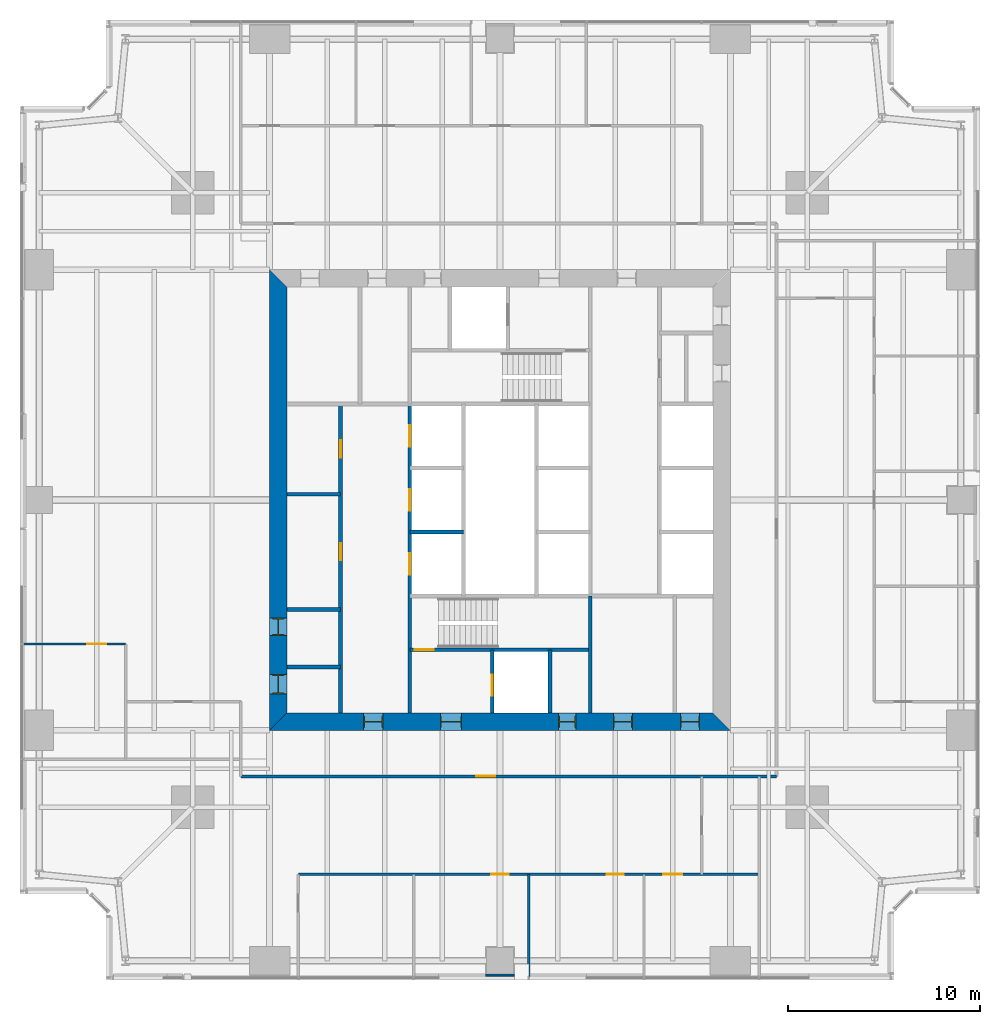
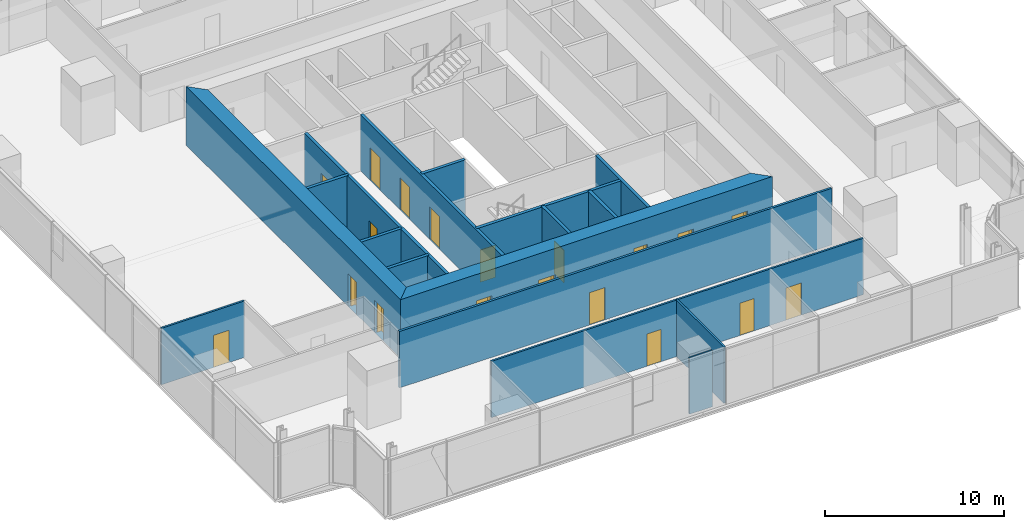
# One storey, part 9 of 13: 19 doors, 17 walls, 19 openings.
"""IFC4 building model written with IfcOpenShell, lengths in metres."""

from ifc_helpers import new_model, si_unit, direction, frame, frame_2d, origin, place, context, subcontext, project, spatial, polyline, rectangle, outline, extrude, material, layer, layer_set, type_object, element, fill, save


model = new_model("IFC4")

# Units and contexts
model_context = context("Model", 3, precision=1e-05, world=origin(), true_north=direction((0.0, 1.0)))
body_context = subcontext(model_context, "Body", "Model", "MODEL_VIEW")
ifc_project = project(units=[si_unit("LENGTHUNIT", "METRE"), si_unit("AREAUNIT", "SQUARE_METRE"), si_unit("VOLUMEUNIT", "CUBIC_METRE"), si_unit("PLANEANGLEUNIT", "RADIAN"), si_unit("MASSUNIT", "GRAM", prefix="KILO")], contexts=[model_context])

# Site, building, storey
site_placement = place(None, origin())
site = spatial("IfcSite", under=ifc_project, at=site_placement, CompositionType="ELEMENT")
building_placement = place(site_placement, origin())
building = spatial("IfcBuilding", under=site, at=building_placement, Name="Fenwick Lantern Interchange", CompositionType="ELEMENT")
storey_placement = place(building_placement, frame((0.0, 0.0, 110.39990234375)))
storey = spatial("IfcBuildingStorey", under=building, at=storey_placement, Name="L25", CompositionType="ELEMENT", Elevation=110.39990234375)

# Wall
ifc_material_1 = material(Name="Fire-rated gypsum board encasement on steel studs, 2 hour", Category="steel")
ifc_layer_1 = layer(ifc_material_1, 1.5)
ifc_layer_set_1 = layer_set([ifc_layer_1], Name="COLUMN PIER 1500")
wall_type_1 = type_object("IfcWallType", Name="COLUMN PIER 1500", PredefinedType="PARTITIONING", material=ifc_layer_set_1)
wall_1_placement = place(storey_placement, frame((25.0, 0.199951171875, 0.0), z_axis=(0.0, 0.0, 1.0), x_axis=(0.0, 1.0, 0.0)))
element("IfcWall", 1, at=wall_1_placement, inside=storey, type_object=wall_type_1, Name="L25/W/PIER/CS3", PredefinedType="PARTITIONING", context=body_context, shape_type="SweptSolid", body=[
    extrude(rectangle(XDim=0.10009765625, YDim=1.5, at=frame_2d((0.050048828125, 0.0))), origin(), (0.0, 0.0, 1.0), 3.85009765625),
])

# Wall, openings, doors
ifc_material_2 = material(Name="Concrete masonry ASTM C90 Grade N", Category="masonry")
ifc_layer_2 = layer(ifc_material_2, 0.199951171875)
ifc_layer_set_2 = layer_set([ifc_layer_2], Name="Concrete masonry ASTM C90 Grade N")
wall_type_2 = type_object("IfcWallType", Name="CORE PARTITION 200", PredefinedType="PARTITIONING", material=ifc_layer_set_2)
wall_2_placement = place(storey_placement, frame((16.699951171875, 13.89990234375, 0.0), z_axis=(0.0, 0.0, 1.0), x_axis=(0.0, 1.0, 0.0)))
wall_2 = element("IfcWall", 2, at=wall_2_placement, inside=storey, type_object=wall_type_2, Name="L25/W/CORES/a", PredefinedType="PARTITIONING", context=body_context, shape_type="SweptSolid", body=[
    extrude(rectangle(XDim=16.10009765625, YDim=0.199951171875, at=frame_2d((8.050048828125, 0.0))), origin(), (0.0, 0.0, 1.0), 3.800048828125),
])
opening_1_placement = place(wall_2_placement, frame((7.949951171875, 0.0, 0.0)))
opening_1 = element("IfcOpeningElement", 3, at=opening_1_placement, cuts=wall_2, Name="Opening L25-D009", PredefinedType="OPENING", context=body_context, shape_type="SweptSolid", body=[
    extrude(rectangle(XDim=0.89990234375, YDim=2.199951171875, at=frame_2d((0.449951171875, 1.10009765625))), frame((0.0, 0.10986328125, 0.0), z_axis=(0.0, -1.0, 0.0), x_axis=(1.0, 0.0, 0.0)), (0.0, 0.0, 1.0), 0.219970703125),
])
opening_2_placement = place(wall_2_placement, frame((13.300048828125, 0.0, 0.0)))
opening_2 = element("IfcOpeningElement", 4, at=opening_2_placement, cuts=wall_2, Name="Opening L25-D010", PredefinedType="OPENING", context=body_context, shape_type="SweptSolid", body=[
    extrude(rectangle(XDim=0.89990234375, YDim=2.199951171875, at=frame_2d((0.449951171875, 1.10009765625))), frame((0.0, 0.10986328125, 0.0), z_axis=(0.0, -1.0, 0.0), x_axis=(1.0, 0.0, 0.0)), (0.0, 0.0, 1.0), 0.219970703125),
])
ifc_material_3 = material(Name="Steel door and frame", Category="steel")
door_type_1 = type_object("IfcDoorType", Name="SERVICE DOOR 900 X 2200", OperationType="SINGLE_SWING_LEFT", PredefinedType="DOOR", material=ifc_material_3)
door_1_placement = place(opening_1_placement, origin())
door_1 = element("IfcDoor", 5, at=door_1_placement, inside=storey, type_object=door_type_1, Name="Service door", OperationType="SINGLE_SWING_LEFT", OverallHeight=2.199951171875, OverallWidth=0.89990234375, PredefinedType="DOOR", context=body_context, shape_type="SweptSolid", body=[
    extrude(rectangle(XDim=0.89990234375, YDim=2.199951171875, at=frame_2d((0.449951171875, 1.10009765625))), frame((0.0, 0.02490234375, 0.0), z_axis=(0.0, -1.0, 0.0), x_axis=(1.0, 0.0, 0.0)), (0.0, 0.0, 1.0), 0.050048828125),
])
fill(opening_1, door_1)
door_2_placement = place(opening_2_placement, origin())
door_2 = element("IfcDoor", 6, at=door_2_placement, inside=storey, type_object=door_type_1, Name="Service door", OperationType="SINGLE_SWING_LEFT", OverallHeight=2.199951171875, OverallWidth=0.89990234375, PredefinedType="DOOR", context=body_context, shape_type="SweptSolid", body=[
    extrude(rectangle(XDim=0.89990234375, YDim=2.199951171875, at=frame_2d((0.449951171875, 1.10009765625))), frame((0.0, 0.02490234375, 0.0), z_axis=(0.0, -1.0, 0.0), x_axis=(1.0, 0.0, 0.0)), (0.0, 0.0, 1.0), 0.050048828125),
])
fill(opening_2, door_2)

# Wall
wall_3_placement = place(storey_placement, frame((20.300048828125, 23.333251953125, 0.0), z_axis=(0.0, 0.0, 1.0), x_axis=(1.0, 0.0, 0.0)))
element("IfcWall", 7, at=wall_3_placement, inside=storey, type_object=wall_type_2, Name="L25/W/CORES/e1", PredefinedType="PARTITIONING", context=body_context, shape_type="SweptSolid", body=[
    extrude(rectangle(XDim=2.800048828125, YDim=0.199951171875, at=frame_2d((1.39990234375, 0.0))), origin(), (0.0, 0.0, 1.0), 3.800048828125),
])

# Wall, opening, door
wall_4_placement = place(storey_placement, frame((24.60009765625, 13.89990234375, 0.0), z_axis=(0.0, 0.0, 1.0), x_axis=(0.0, 1.0, 0.0)))
wall_4 = element("IfcWall", 8, at=wall_4_placement, inside=storey, type_object=wall_type_2, Name="L25/W/CORES/h1", PredefinedType="PARTITIONING", context=body_context, shape_type="SweptSolid", body=[
    extrude(rectangle(XDim=3.300048828125, YDim=0.199951171875, at=frame_2d((1.64990234375, 0.0))), origin(), (0.0, 0.0, 1.0), 3.800048828125),
])
opening_3_placement = place(wall_4_placement, frame((0.89990234375, 0.0, 0.0)))
opening_3 = element("IfcOpeningElement", 9, at=opening_3_placement, cuts=wall_4, Name="Opening LD-FL1", PredefinedType="OPENING", context=body_context, shape_type="SweptSolid", body=[
    extrude(rectangle(XDim=1.10009765625, YDim=2.199951171875, at=frame_2d((0.550048828125, 1.10009765625))), frame((0.0, 0.10986328125, 0.0), z_axis=(0.0, -1.0, 0.0), x_axis=(1.0, 0.0, 0.0)), (0.0, 0.0, 1.0), 0.219970703125),
])
door_type_2 = type_object("IfcDoorType", Name="LIFT LANDING DOOR 1100 X 2200", OperationType="DOUBLE_DOOR_SLIDING", PredefinedType="DOOR", material=ifc_material_3)
door_3_placement = place(opening_3_placement, origin())
door_3 = element("IfcDoor", 10, at=door_3_placement, inside=storey, type_object=door_type_2, Name="Lift landing door FL1", OperationType="DOUBLE_DOOR_SLIDING", OverallHeight=2.199951171875, OverallWidth=1.10009765625, PredefinedType="DOOR", context=body_context, shape_type="SweptSolid", body=[
    extrude(rectangle(XDim=1.10009765625, YDim=2.199951171875, at=frame_2d((0.550048828125, 1.10009765625))), frame((0.0, 0.02490234375, 0.0), z_axis=(0.0, -1.0, 0.0), x_axis=(1.0, 0.0, 0.0)), (0.0, 0.0, 1.0), 0.050048828125),
])
fill(opening_3, door_3)

# Walls
wall_5_placement = place(storey_placement, frame((27.60009765625, 13.89990234375, 0.0), z_axis=(0.0, 0.0, 1.0), x_axis=(0.0, 1.0, 0.0)))
element("IfcWall", 11, at=wall_5_placement, inside=storey, type_object=wall_type_2, Name="L25/W/CORES/h2", PredefinedType="PARTITIONING", context=body_context, shape_type="SweptSolid", body=[
    extrude(rectangle(XDim=3.300048828125, YDim=0.199951171875, at=frame_2d((1.64990234375, 0.0))), origin(), (0.0, 0.0, 1.0), 3.800048828125),
])
for number, where, z_axis, x_axis, name in (
    (12, (13.89990234375, 16.300048828125, 0.0), (0.0, 0.0, 1.0), (1.0, 0.0, 0.0), "L25/W/CORES/p1"),
    (13, (13.89990234375, 19.300048828125, 0.0), (0.0, 0.0, 1.0), (1.0, 0.0, 0.0), "L25/W/CORES/p2"),
    (14, (13.89990234375, 25.300048828125, 0.0), (0.0, 0.0, 1.0), (1.0, 0.0, 0.0), "L25/W/CORES/p3"),
):
    element("IfcWall", number, at=place(storey_placement, frame(where, z_axis=z_axis, x_axis=x_axis)), inside=storey, type_object=wall_type_2, Name=name, PredefinedType="PARTITIONING", context=body_context, shape_type="SweptSolid", body=[
        extrude(rectangle(XDim=2.800048828125, YDim=0.199951171875, at=frame_2d((1.39990234375, 0.0))), origin(), (0.0, 0.0, 1.0), 3.800048828125),
    ])

# Wall, openings, doors
ifc_material_4 = material(Name="Concrete f'c 70 MPa", Category="concrete")
ifc_layer_3 = layer(ifc_material_4, 0.89990234375)
ifc_layer_set_3 = layer_set([ifc_layer_3], Name="CORE WALL 900")
wall_type_3 = type_object("IfcWallType", Name="CORE WALL 900", PredefinedType="SHEAR", material=ifc_layer_set_3)
wall_6_placement = place(storey_placement, frame((13.0, 13.449951171875, 0.0), z_axis=(0.0, 0.0, 1.0), x_axis=(1.0, 0.0, 0.0)))
wall_6 = element("IfcWall", 15, at=wall_6_placement, inside=storey, type_object=wall_type_3, Name="L25/CORE/S", PredefinedType="SHEAR", context=body_context, shape_type="SweptSolid", body=[
    extrude(outline(polyline([(0.0, -0.449951171875), (24.0, -0.449951171875), (23.10009765625, 0.449951171875), (0.89990234375, 0.449951171875), (0.0, -0.449951171875)])), origin(), (0.0, 0.0, 1.0), 4.0),
])
opening_4_placement = place(wall_6_placement, frame((4.89990234375, 0.0, 0.0)))
opening_4 = element("IfcOpeningElement", 16, at=opening_4_placement, cuts=wall_6, Name="Opening L25-D001", PredefinedType="OPENING", context=body_context, shape_type="SweptSolid", body=[
    extrude(rectangle(XDim=1.0, YDim=2.199951171875, at=frame_2d((0.5, 1.10009765625))), frame((0.0, 0.4599609375, 0.0), z_axis=(0.0, -1.0, 0.0), x_axis=(1.0, 0.0, 0.0)), (0.0, 0.0, 1.0), 0.919921875),
])
opening_5_placement = place(wall_6_placement, frame((8.89990234375, 0.0, 0.0)))
opening_5 = element("IfcOpeningElement", 17, at=opening_5_placement, cuts=wall_6, Name="Opening L25-D002", PredefinedType="OPENING", context=body_context, shape_type="SweptSolid", body=[
    extrude(rectangle(XDim=1.10009765625, YDim=2.199951171875, at=frame_2d((0.550048828125, 1.10009765625))), frame((0.0, 0.4599609375, 0.0), z_axis=(0.0, -1.0, 0.0), x_axis=(1.0, 0.0, 0.0)), (0.0, 0.0, 1.0), 0.919921875),
])
opening_6_placement = place(wall_6_placement, frame((15.050048828125, 0.0, 0.0)))
opening_6 = element("IfcOpeningElement", 18, at=opening_6_placement, cuts=wall_6, Name="Opening L25-D004", PredefinedType="OPENING", context=body_context, shape_type="SweptSolid", body=[
    extrude(rectangle(XDim=0.89990234375, YDim=2.199951171875, at=frame_2d((0.449951171875, 1.10009765625))), frame((0.0, 0.4599609375, 0.0), z_axis=(0.0, -1.0, 0.0), x_axis=(1.0, 0.0, 0.0)), (0.0, 0.0, 1.0), 0.919921875),
])
opening_7_placement = place(wall_6_placement, frame((17.89990234375, 0.0, 0.0)))
opening_7 = element("IfcOpeningElement", 19, at=opening_7_placement, cuts=wall_6, Name="Opening L25-D005", PredefinedType="OPENING", context=body_context, shape_type="SweptSolid", body=[
    extrude(rectangle(XDim=1.0, YDim=2.199951171875, at=frame_2d((0.5, 1.10009765625))), frame((0.0, 0.4599609375, 0.0), z_axis=(0.0, -1.0, 0.0), x_axis=(1.0, 0.0, 0.0)), (0.0, 0.0, 1.0), 0.919921875),
])
opening_8_placement = place(wall_6_placement, frame((21.39990234375, 0.0, 0.0)))
opening_8 = element("IfcOpeningElement", 20, at=opening_8_placement, cuts=wall_6, Name="Opening L25-D006", PredefinedType="OPENING", context=body_context, shape_type="SweptSolid", body=[
    extrude(rectangle(XDim=1.0, YDim=2.199951171875, at=frame_2d((0.5, 1.10009765625))), frame((0.0, 0.4599609375, 0.0), z_axis=(0.0, -1.0, 0.0), x_axis=(1.0, 0.0, 0.0)), (0.0, 0.0, 1.0), 0.919921875),
])
door_type_3 = type_object("IfcDoorType", Name="CORE LOBBY DOOR 1000 X 2200", OperationType="SINGLE_SWING_LEFT", PredefinedType="DOOR", material=ifc_material_3)
door_4_placement = place(opening_4_placement, origin())
door_4 = element("IfcDoor", 21, at=door_4_placement, inside=storey, type_object=door_type_3, Name="Core lobby door", OperationType="SINGLE_SWING_LEFT", OverallHeight=2.199951171875, OverallWidth=1.0, PredefinedType="DOOR", context=body_context, shape_type="SweptSolid", body=[
    extrude(rectangle(XDim=1.0, YDim=2.199951171875, at=frame_2d((0.5, 1.10009765625))), frame((0.0, 0.02490234375, 0.0), z_axis=(0.0, -1.0, 0.0), x_axis=(1.0, 0.0, 0.0)), (0.0, 0.0, 1.0), 0.050048828125),
    extrude(outline(polyline([(0.0, 0.0), (0.0400390625, 0.0), (0.0400390625, 2.159912109375), (0.9599609375, 2.159912109375), (0.9599609375, 0.0), (1.0, 0.0), (1.0, 2.199951171875), (0.0, 2.199951171875), (0.0, 0.0)])), frame((0.0, 0.300048828125, 0.0), z_axis=(0.0, -1.0, 0.0), x_axis=(1.0, 0.0, 0.0)), (0.0, 0.0, 1.0), 0.60009765625),
])
fill(opening_4, door_4)
door_type_4 = type_object("IfcDoorType", Name="FIRE LOBBY DOOR 1100 X 2200", OperationType="SINGLE_SWING_LEFT", PredefinedType="DOOR", material=ifc_material_3)
door_5_placement = place(opening_5_placement, origin())
door_5 = element("IfcDoor", 22, at=door_5_placement, inside=storey, type_object=door_type_4, Name="Fire lobby door", OperationType="SINGLE_SWING_LEFT", OverallHeight=2.199951171875, OverallWidth=1.10009765625, PredefinedType="DOOR", context=body_context, shape_type="SweptSolid", body=[
    extrude(rectangle(XDim=1.10009765625, YDim=2.199951171875, at=frame_2d((0.550048828125, 1.10009765625))), frame((0.0, 0.02490234375, 0.0), z_axis=(0.0, -1.0, 0.0), x_axis=(1.0, 0.0, 0.0)), (0.0, 0.0, 1.0), 0.050048828125),
    extrude(outline(polyline([(0.0, 0.0), (0.0400390625, 0.0), (0.0400390625, 2.159912109375), (1.06005859375, 2.159912109375), (1.06005859375, 0.0), (1.10009765625, 0.0), (1.10009765625, 2.199951171875), (0.0, 2.199951171875), (0.0, 0.0)])), frame((0.0, 0.300048828125, 0.0), z_axis=(0.0, -1.0, 0.0), x_axis=(1.0, 0.0, 0.0)), (0.0, 0.0, 1.0), 0.60009765625),
])
fill(opening_5, door_5)
door_6_placement = place(opening_6_placement, origin())
door_6 = element("IfcDoor", 23, at=door_6_placement, inside=storey, type_object=door_type_1, Name="Service door", OperationType="SINGLE_SWING_LEFT", OverallHeight=2.199951171875, OverallWidth=0.89990234375, PredefinedType="DOOR", context=body_context, shape_type="SweptSolid", body=[
    extrude(rectangle(XDim=0.89990234375, YDim=2.199951171875, at=frame_2d((0.449951171875, 1.10009765625))), frame((0.0, 0.02490234375, 0.0), z_axis=(0.0, -1.0, 0.0), x_axis=(1.0, 0.0, 0.0)), (0.0, 0.0, 1.0), 0.050048828125),
    extrude(outline(polyline([(0.0, 0.0), (0.0400390625, 0.0), (0.0400390625, 2.159912109375), (0.85986328125, 2.159912109375), (0.85986328125, 0.0), (0.89990234375, 0.0), (0.89990234375, 2.199951171875), (0.0, 2.199951171875), (0.0, 0.0)])), frame((0.0, 0.300048828125, 0.0), z_axis=(0.0, -1.0, 0.0), x_axis=(1.0, 0.0, 0.0)), (0.0, 0.0, 1.0), 0.60009765625),
])
fill(opening_6, door_6)
ifc_material_5 = material(Name="Hardwood door and steel frame", Category="steel")
door_type_5 = type_object("IfcDoorType", Name="WC DOOR 1000 X 2200", OperationType="SINGLE_SWING_LEFT", PredefinedType="DOOR", material=ifc_material_5)
door_7_placement = place(opening_7_placement, origin())
door_7 = element("IfcDoor", 24, at=door_7_placement, inside=storey, type_object=door_type_5, Name="Wc door", OperationType="SINGLE_SWING_LEFT", OverallHeight=2.199951171875, OverallWidth=1.0, PredefinedType="DOOR", context=body_context, shape_type="SweptSolid", body=[
    extrude(rectangle(XDim=1.0, YDim=2.199951171875, at=frame_2d((0.5, 1.10009765625))), frame((0.0, 0.02490234375, 0.0), z_axis=(0.0, -1.0, 0.0), x_axis=(1.0, 0.0, 0.0)), (0.0, 0.0, 1.0), 0.050048828125),
    extrude(outline(polyline([(0.0, 0.0), (0.0400390625, 0.0), (0.0400390625, 2.159912109375), (0.9599609375, 2.159912109375), (0.9599609375, 0.0), (1.0, 0.0), (1.0, 2.199951171875), (0.0, 2.199951171875), (0.0, 0.0)])), frame((0.0, 0.300048828125, 0.0), z_axis=(0.0, -1.0, 0.0), x_axis=(1.0, 0.0, 0.0)), (0.0, 0.0, 1.0), 0.60009765625),
])
fill(opening_7, door_7)
door_8_placement = place(opening_8_placement, origin())
door_8 = element("IfcDoor", 25, at=door_8_placement, inside=storey, type_object=door_type_5, Name="Wc door", OperationType="SINGLE_SWING_LEFT", OverallHeight=2.199951171875, OverallWidth=1.0, PredefinedType="DOOR", context=body_context, shape_type="SweptSolid", body=[
    extrude(rectangle(XDim=1.0, YDim=2.199951171875, at=frame_2d((0.5, 1.10009765625))), frame((0.0, 0.02490234375, 0.0), z_axis=(0.0, -1.0, 0.0), x_axis=(1.0, 0.0, 0.0)), (0.0, 0.0, 1.0), 0.050048828125),
    extrude(outline(polyline([(0.0, 0.0), (0.0400390625, 0.0), (0.0400390625, 2.159912109375), (0.9599609375, 2.159912109375), (0.9599609375, 0.0), (1.0, 0.0), (1.0, 2.199951171875), (0.0, 2.199951171875), (0.0, 0.0)])), frame((0.0, 0.300048828125, 0.0), z_axis=(0.0, -1.0, 0.0), x_axis=(1.0, 0.0, 0.0)), (0.0, 0.0, 1.0), 0.60009765625),
])
fill(opening_8, door_8)

wall_7_placement = place(storey_placement, frame((13.449951171875, 36.10009765625, 0.0), z_axis=(0.0, 0.0, 1.0), x_axis=(0.0, -1.0, 0.0)))
wall_7 = element("IfcWall", 26, at=wall_7_placement, inside=storey, type_object=wall_type_3, Name="L25/CORE/W", PredefinedType="SHEAR", context=body_context, shape_type="SweptSolid", body=[
    extrude(outline(polyline([(-0.89990234375, -0.449951171875), (23.10009765625, -0.449951171875), (22.199951171875, 0.449951171875), (0.0, 0.449951171875), (-0.89990234375, -0.449951171875)])), origin(), (0.0, 0.0, 1.0), 4.0),
])
opening_9_placement = place(wall_7_placement, frame((20.199951171875, 0.0, 0.0)))
opening_9 = element("IfcOpeningElement", 27, at=opening_9_placement, cuts=wall_7, Name="Opening L25-D007", PredefinedType="OPENING", context=body_context, shape_type="SweptSolid", body=[
    extrude(rectangle(XDim=1.0, YDim=2.199951171875, at=frame_2d((0.5, 1.10009765625))), frame((0.0, 0.4599609375, 0.0), z_axis=(0.0, -1.0, 0.0), x_axis=(1.0, 0.0, 0.0)), (0.0, 0.0, 1.0), 0.919921875),
])
opening_10_placement = place(wall_7_placement, frame((17.25, 0.0, 0.0)))
opening_10 = element("IfcOpeningElement", 28, at=opening_10_placement, cuts=wall_7, Name="Opening L25-D008", PredefinedType="OPENING", context=body_context, shape_type="SweptSolid", body=[
    extrude(rectangle(XDim=0.89990234375, YDim=2.199951171875, at=frame_2d((0.449951171875, 1.10009765625))), frame((0.0, 0.4599609375, 0.0), z_axis=(0.0, -1.0, 0.0), x_axis=(1.0, 0.0, 0.0)), (0.0, 0.0, 1.0), 0.919921875),
])
door_9_placement = place(opening_10_placement, origin())
door_9 = element("IfcDoor", 29, at=door_9_placement, inside=storey, type_object=door_type_1, Name="Service door", OperationType="SINGLE_SWING_LEFT", OverallHeight=2.199951171875, OverallWidth=0.89990234375, PredefinedType="DOOR", context=body_context, shape_type="SweptSolid", body=[
    extrude(rectangle(XDim=0.89990234375, YDim=2.199951171875, at=frame_2d((0.449951171875, 1.10009765625))), frame((0.0, 0.02490234375, 0.0), z_axis=(0.0, -1.0, 0.0), x_axis=(1.0, 0.0, 0.0)), (0.0, 0.0, 1.0), 0.050048828125),
    extrude(outline(polyline([(0.0, 0.0), (0.0400390625, 0.0), (0.0400390625, 2.159912109375), (0.85986328125, 2.159912109375), (0.85986328125, 0.0), (0.89990234375, 0.0), (0.89990234375, 2.199951171875), (0.0, 2.199951171875), (0.0, 0.0)])), frame((0.0, 0.300048828125, 0.0), z_axis=(0.0, -1.0, 0.0), x_axis=(1.0, 0.0, 0.0)), (0.0, 0.0, 1.0), 0.60009765625),
])
fill(opening_10, door_9)
door_10_placement = place(opening_9_placement, origin())
door_10 = element("IfcDoor", 30, at=door_10_placement, inside=storey, type_object=door_type_5, Name="Wc door", OperationType="SINGLE_SWING_LEFT", OverallHeight=2.199951171875, OverallWidth=1.0, PredefinedType="DOOR", context=body_context, shape_type="SweptSolid", body=[
    extrude(rectangle(XDim=1.0, YDim=2.199951171875, at=frame_2d((0.5, 1.10009765625))), frame((0.0, 0.02490234375, 0.0), z_axis=(0.0, -1.0, 0.0), x_axis=(1.0, 0.0, 0.0)), (0.0, 0.0, 1.0), 0.050048828125),
    extrude(outline(polyline([(0.0, 0.0), (0.0400390625, 0.0), (0.0400390625, 2.159912109375), (0.9599609375, 2.159912109375), (0.9599609375, 0.0), (1.0, 0.0), (1.0, 2.199951171875), (0.0, 2.199951171875), (0.0, 0.0)])), frame((0.0, 0.300048828125, 0.0), z_axis=(0.0, -1.0, 0.0), x_axis=(1.0, 0.0, 0.0)), (0.0, 0.0, 1.0), 0.60009765625),
])
fill(opening_9, door_10)

# Wall, opening, door
ifc_material_6 = material(Name="Gypsum board on steel studs, 1 hour", Category="steel")
ifc_layer_4 = layer(ifc_material_6, 0.14990234375)
ifc_layer_set_4 = layer_set([ifc_layer_4], Name="CORRIDOR WALL 150")
wall_type_4 = type_object("IfcWallType", Name="CORRIDOR WALL 150", PredefinedType="PARTITIONING", material=ifc_layer_set_4)
wall_8_placement = place(storey_placement, frame((11.5, 10.60009765625, 0.0), z_axis=(0.0, 0.0, 1.0), x_axis=(1.0, 0.0, 0.0)))
wall_8 = element("IfcWall", 31, at=wall_8_placement, inside=storey, type_object=wall_type_4, Name="L25/W/OFF/S/CW2", PredefinedType="PARTITIONING", context=body_context, shape_type="SweptSolid", body=[
    extrude(rectangle(XDim=27.89990234375, YDim=0.14990234375, at=frame_2d((13.949951171875, 0.0))), origin(), (0.0, 0.0, 1.0), 3.85009765625),
])
opening_11_placement = place(wall_8_placement, frame((12.25, 0.0, 0.0)))
opening_11 = element("IfcOpeningElement", 32, at=opening_11_placement, cuts=wall_8, Name="Opening L25-D020", PredefinedType="OPENING", context=body_context, shape_type="SweptSolid", body=[
    extrude(rectangle(XDim=1.0, YDim=2.199951171875, at=frame_2d((0.5, 1.10009765625))), frame((0.0, 0.0849609375, 0.0), z_axis=(0.0, -1.0, 0.0), x_axis=(1.0, 0.0, 0.0)), (0.0, 0.0, 1.0), 0.169921875),
])
door_type_6 = type_object("IfcDoorType", Name="SUITE ENTRANCE DOOR 1000 X 2200", OperationType="SINGLE_SWING_LEFT", PredefinedType="DOOR", material=ifc_material_3)
door_11_placement = place(opening_11_placement, frame((1.0, 0.0, 0.0), z_axis=(0.0, 0.0, 1.0), x_axis=(-1.0, 0.0, 0.0)))
door_11 = element("IfcDoor", 33, at=door_11_placement, inside=storey, type_object=door_type_6, Name="Suite entrance door", OperationType="SINGLE_SWING_LEFT", OverallHeight=2.199951171875, OverallWidth=1.0, PredefinedType="DOOR", context=body_context, shape_type="SweptSolid", body=[
    extrude(rectangle(XDim=1.0, YDim=2.199951171875, at=frame_2d((0.5, 1.10009765625))), frame((0.0, 0.02490234375, 0.0), z_axis=(0.0, -1.0, 0.0), x_axis=(1.0, 0.0, 0.0)), (0.0, 0.0, 1.0), 0.050048828125),
])
fill(opening_11, door_11)

# Wall
ifc_material_7 = material(Name="Gypsum board on steel studs, acoustic", Category="steel")
ifc_layer_5 = layer(ifc_material_7, 0.125)
ifc_layer_set_5 = layer_set([ifc_layer_5], Name="OFFICE PARTITION 125")
wall_type_5 = type_object("IfcWallType", Name="OFFICE PARTITION 125", PredefinedType="PARTITIONING", material=ifc_layer_set_5)
wall_9_placement = place(storey_placement, frame((26.5, 0.14990234375, 0.0), z_axis=(0.0, 0.0, 1.0), x_axis=(0.0, 1.0, 0.0)))
element("IfcWall", 34, at=wall_9_placement, inside=storey, type_object=wall_type_5, Name="L25/W/OFF/S/X265-1", PredefinedType="PARTITIONING", context=body_context, shape_type="SweptSolid", body=[
    extrude(rectangle(XDim=5.35009765625, YDim=0.125, at=frame_2d((2.675048828125, 0.0))), origin(), (0.0, 0.0, 1.0), 3.85009765625),
])

# Wall, openings, doors
wall_10_placement = place(storey_placement, frame((14.5, 5.5, 0.0), z_axis=(0.0, 0.0, 1.0), x_axis=(1.0, 0.0, 0.0)))
wall_10 = element("IfcWall", 35, at=wall_10_placement, inside=storey, type_object=wall_type_5, Name="L25/W/OFF/S/Y55-1", PredefinedType="PARTITIONING", context=body_context, shape_type="SweptSolid", body=[
    extrude(rectangle(XDim=24.0, YDim=0.125, at=frame_2d((12.0, 0.0))), origin(), (0.0, 0.0, 1.0), 3.85009765625),
])
opening_12_placement = place(wall_10_placement, frame((10.050048828125, 0.0, 0.0)))
opening_12 = element("IfcOpeningElement", 36, at=opening_12_placement, cuts=wall_10, Name="Opening L25-D022", PredefinedType="OPENING", context=body_context, shape_type="SweptSolid", body=[
    extrude(rectangle(XDim=0.89990234375, YDim=2.199951171875, at=frame_2d((0.449951171875, 1.10009765625))), frame((0.0, 0.072509765625, 0.0), z_axis=(0.0, -1.0, 0.0), x_axis=(1.0, 0.0, 0.0)), (0.0, 0.0, 1.0), 0.14501953125),
])
opening_13_placement = place(wall_10_placement, frame((16.050048828125, 0.0, 0.0)))
opening_13 = element("IfcOpeningElement", 37, at=opening_13_placement, cuts=wall_10, Name="Opening L25-D023", PredefinedType="OPENING", context=body_context, shape_type="SweptSolid", body=[
    extrude(rectangle(XDim=0.89990234375, YDim=2.199951171875, at=frame_2d((0.449951171875, 1.10009765625))), frame((0.0, 0.072509765625, 0.0), z_axis=(0.0, -1.0, 0.0), x_axis=(1.0, 0.0, 0.0)), (0.0, 0.0, 1.0), 0.14501953125),
])
opening_14_placement = place(wall_10_placement, frame((19.0, 0.0, 0.0)))
opening_14 = element("IfcOpeningElement", 38, at=opening_14_placement, cuts=wall_10, Name="Opening L25-D024", PredefinedType="OPENING", context=body_context, shape_type="SweptSolid", body=[
    extrude(rectangle(XDim=1.0, YDim=2.199951171875, at=frame_2d((0.5, 1.10009765625))), frame((0.0, 0.072509765625, 0.0), z_axis=(0.0, -1.0, 0.0), x_axis=(1.0, 0.0, 0.0)), (0.0, 0.0, 1.0), 0.14501953125),
])
door_type_7 = type_object("IfcDoorType", Name="MEETING ROOM DOOR 1000 X 2200", OperationType="SINGLE_SWING_LEFT", PredefinedType="DOOR", material=ifc_material_5)
door_12_placement = place(opening_14_placement, frame((1.0, 0.0, 0.0), z_axis=(0.0, 0.0, 1.0), x_axis=(-1.0, 0.0, 0.0)))
door_12 = element("IfcDoor", 39, at=door_12_placement, inside=storey, type_object=door_type_7, Name="Meeting room door", OperationType="SINGLE_SWING_RIGHT", OverallHeight=2.199951171875, OverallWidth=1.0, PredefinedType="DOOR", context=body_context, shape_type="SweptSolid", body=[
    extrude(rectangle(XDim=1.0, YDim=2.199951171875, at=frame_2d((0.5, 1.10009765625))), frame((0.0, 0.02490234375, 0.0), z_axis=(0.0, -1.0, 0.0), x_axis=(1.0, 0.0, 0.0)), (0.0, 0.0, 1.0), 0.050048828125),
])
fill(opening_14, door_12)
door_type_8 = type_object("IfcDoorType", Name="OFFICE DOOR 900 X 2200", OperationType="SINGLE_SWING_LEFT", PredefinedType="DOOR", material=ifc_material_5)
door_13_placement = place(opening_12_placement, frame((0.89990234375, 0.0, 0.0), z_axis=(0.0, 0.0, 1.0), x_axis=(-1.0, 0.0, 0.0)))
door_13 = element("IfcDoor", 40, at=door_13_placement, inside=storey, type_object=door_type_8, Name="Office door", OperationType="SINGLE_SWING_LEFT", OverallHeight=2.199951171875, OverallWidth=0.89990234375, PredefinedType="DOOR", context=body_context, shape_type="SweptSolid", body=[
    extrude(rectangle(XDim=0.89990234375, YDim=2.199951171875, at=frame_2d((0.449951171875, 1.10009765625))), frame((0.0, 0.02490234375, 0.0), z_axis=(0.0, -1.0, 0.0), x_axis=(1.0, 0.0, 0.0)), (0.0, 0.0, 1.0), 0.050048828125),
])
fill(opening_12, door_13)
door_14_placement = place(opening_13_placement, frame((0.89990234375, 0.0, 0.0), z_axis=(0.0, 0.0, 1.0), x_axis=(-1.0, 0.0, 0.0)))
door_14 = element("IfcDoor", 41, at=door_14_placement, inside=storey, type_object=door_type_8, Name="Office door", OperationType="SINGLE_SWING_LEFT", OverallHeight=2.199951171875, OverallWidth=0.89990234375, PredefinedType="DOOR", context=body_context, shape_type="SweptSolid", body=[
    extrude(rectangle(XDim=0.89990234375, YDim=2.199951171875, at=frame_2d((0.449951171875, 1.10009765625))), frame((0.0, 0.02490234375, 0.0), z_axis=(0.0, -1.0, 0.0), x_axis=(1.0, 0.0, 0.0)), (0.0, 0.0, 1.0), 0.050048828125),
])
fill(opening_13, door_14)

# Wall, opening, door
wall_11_placement = place(storey_placement, frame((0.14990234375, 17.5, 0.0), z_axis=(0.0, 0.0, 1.0), x_axis=(1.0, 0.0, 0.0)))
wall_11 = element("IfcWall", 42, at=wall_11_placement, inside=storey, type_object=wall_type_5, Name="L25/W/OFF/W/X325-1", PredefinedType="PARTITIONING", context=body_context, shape_type="SweptSolid", body=[
    extrude(rectangle(XDim=5.35009765625, YDim=0.125, at=frame_2d((2.675048828125, 0.0))), origin(), (0.0, 0.0, 1.0), 3.85009765625),
])
opening_15_placement = place(wall_11_placement, frame((3.35009765625, 0.0, 0.0)))
opening_15 = element("IfcOpeningElement", 43, at=opening_15_placement, cuts=wall_11, Name="Opening L25-D039", PredefinedType="OPENING", context=body_context, shape_type="SweptSolid", body=[
    extrude(rectangle(XDim=1.0, YDim=2.199951171875, at=frame_2d((0.5, 1.10009765625))), frame((0.0, 0.072509765625, 0.0), z_axis=(0.0, -1.0, 0.0), x_axis=(1.0, 0.0, 0.0)), (0.0, 0.0, 1.0), 0.14501953125),
])
door_15_placement = place(opening_15_placement, frame((1.0, 0.0, 0.0), z_axis=(0.0, 0.0, 1.0), x_axis=(-1.0, 0.0, 0.0)))
door_15 = element("IfcDoor", 44, at=door_15_placement, inside=storey, type_object=door_type_7, Name="Meeting room door", OperationType="SINGLE_SWING_LEFT", OverallHeight=2.199951171875, OverallWidth=1.0, PredefinedType="DOOR", context=body_context, shape_type="SweptSolid", body=[
    extrude(rectangle(XDim=1.0, YDim=2.199951171875, at=frame_2d((0.5, 1.10009765625))), frame((0.0, 0.02490234375, 0.0), z_axis=(0.0, -1.0, 0.0), x_axis=(1.0, 0.0, 0.0)), (0.0, 0.0, 1.0), 0.050048828125),
])
fill(opening_15, door_15)

# Wall, openings, doors
ifc_material_8 = material(Name="Concrete f'c 45 MPa", Category="concrete")
ifc_layer_6 = layer(ifc_material_8, 0.199951171875)
ifc_layer_set_6 = layer_set([ifc_layer_6], Name="STAIR CORE WALL 200")
wall_type_6 = type_object("IfcWallType", Name="STAIR CORE WALL 200", PredefinedType="SOLIDWALL", material=ifc_layer_set_6)
wall_12_placement = place(storey_placement, frame((20.300048828125, 13.89990234375, 0.0), z_axis=(0.0, 0.0, 1.0), x_axis=(0.0, 1.0, 0.0)))
wall_12 = element("IfcWall", 45, at=wall_12_placement, inside=storey, type_object=wall_type_6, Name="L25/W/CORES/b", PredefinedType="SOLIDWALL", context=body_context, shape_type="SweptSolid", body=[
    extrude(rectangle(XDim=16.10009765625, YDim=0.199951171875, at=frame_2d((8.050048828125, 0.0))), origin(), (0.0, 0.0, 1.0), 3.800048828125),
])
opening_16_placement = place(wall_12_placement, frame((7.216552734375, 0.0, 0.0)))
opening_16 = element("IfcOpeningElement", 46, at=opening_16_placement, cuts=wall_12, Name="Opening LD-W2-1", PredefinedType="OPENING", context=body_context, shape_type="SweptSolid", body=[
    extrude(rectangle(XDim=1.10009765625, YDim=2.199951171875, at=frame_2d((0.550048828125, 1.10009765625))), frame((0.0, 0.10986328125, 0.0), z_axis=(0.0, -1.0, 0.0), x_axis=(1.0, 0.0, 0.0)), (0.0, 0.0, 1.0), 0.219970703125),
])
opening_17_placement = place(wall_12_placement, frame((10.550048828125, 0.0, 0.0)))
opening_17 = element("IfcOpeningElement", 47, at=opening_17_placement, cuts=wall_12, Name="Opening LD-W2-2", PredefinedType="OPENING", context=body_context, shape_type="SweptSolid", body=[
    extrude(rectangle(XDim=1.10009765625, YDim=2.199951171875, at=frame_2d((0.550048828125, 1.10009765625))), frame((0.0, 0.10986328125, 0.0), z_axis=(0.0, -1.0, 0.0), x_axis=(1.0, 0.0, 0.0)), (0.0, 0.0, 1.0), 0.219970703125),
])
opening_18_placement = place(wall_12_placement, frame((13.88330078125, 0.0, 0.0)))
opening_18 = element("IfcOpeningElement", 48, at=opening_18_placement, cuts=wall_12, Name="Opening LD-W2-3", PredefinedType="OPENING", context=body_context, shape_type="SweptSolid", body=[
    extrude(rectangle(XDim=1.10009765625, YDim=2.199951171875, at=frame_2d((0.550048828125, 1.10009765625))), frame((0.0, 0.10986328125, 0.0), z_axis=(0.0, -1.0, 0.0), x_axis=(1.0, 0.0, 0.0)), (0.0, 0.0, 1.0), 0.219970703125),
])
door_16_placement = place(opening_16_placement, origin())
door_16 = element("IfcDoor", 49, at=door_16_placement, inside=storey, type_object=door_type_2, Name="Lift landing door W2-1", OperationType="DOUBLE_DOOR_SLIDING", OverallHeight=2.199951171875, OverallWidth=1.10009765625, PredefinedType="DOOR", context=body_context, shape_type="SweptSolid", body=[
    extrude(rectangle(XDim=1.10009765625, YDim=2.199951171875, at=frame_2d((0.550048828125, 1.10009765625))), frame((0.0, 0.02490234375, 0.0), z_axis=(0.0, -1.0, 0.0), x_axis=(1.0, 0.0, 0.0)), (0.0, 0.0, 1.0), 0.050048828125),
])
fill(opening_16, door_16)
door_17_placement = place(opening_17_placement, origin())
door_17 = element("IfcDoor", 50, at=door_17_placement, inside=storey, type_object=door_type_2, Name="Lift landing door W2-2", OperationType="DOUBLE_DOOR_SLIDING", OverallHeight=2.199951171875, OverallWidth=1.10009765625, PredefinedType="DOOR", context=body_context, shape_type="SweptSolid", body=[
    extrude(rectangle(XDim=1.10009765625, YDim=2.199951171875, at=frame_2d((0.550048828125, 1.10009765625))), frame((0.0, 0.02490234375, 0.0), z_axis=(0.0, -1.0, 0.0), x_axis=(1.0, 0.0, 0.0)), (0.0, 0.0, 1.0), 0.050048828125),
])
fill(opening_17, door_17)
door_18_placement = place(opening_18_placement, origin())
door_18 = element("IfcDoor", 51, at=door_18_placement, inside=storey, type_object=door_type_2, Name="Lift landing door W2-3", OperationType="DOUBLE_DOOR_SLIDING", OverallHeight=2.199951171875, OverallWidth=1.10009765625, PredefinedType="DOOR", context=body_context, shape_type="SweptSolid", body=[
    extrude(rectangle(XDim=1.10009765625, YDim=2.199951171875, at=frame_2d((0.550048828125, 1.10009765625))), frame((0.0, 0.02490234375, 0.0), z_axis=(0.0, -1.0, 0.0), x_axis=(1.0, 0.0, 0.0)), (0.0, 0.0, 1.0), 0.050048828125),
])
fill(opening_18, door_18)

# Wall, opening, door
wall_13_placement = place(storey_placement, frame((20.300048828125, 17.199951171875, 0.0), z_axis=(0.0, 0.0, 1.0), x_axis=(1.0, 0.0, 0.0)))
wall_13 = element("IfcWall", 52, at=wall_13_placement, inside=storey, type_object=wall_type_6, Name="L25/W/CORES/g1", PredefinedType="SOLIDWALL", context=body_context, shape_type="SweptSolid", body=[
    extrude(rectangle(XDim=9.39990234375, YDim=0.199951171875, at=frame_2d((4.699951171875, 0.0))), origin(), (0.0, 0.0, 1.0), 3.800048828125),
])
opening_19_placement = place(wall_13_placement, frame((0.25, 0.0, 0.0)))
opening_19 = element("IfcOpeningElement", 53, at=opening_19_placement, cuts=wall_13, Name="Opening L25-D003", PredefinedType="OPENING", context=body_context, shape_type="SweptSolid", body=[
    extrude(rectangle(XDim=1.0, YDim=2.199951171875, at=frame_2d((0.5, 1.10009765625))), frame((0.0, 0.10986328125, 0.0), z_axis=(0.0, -1.0, 0.0), x_axis=(1.0, 0.0, 0.0)), (0.0, 0.0, 1.0), 0.219970703125),
])
door_type_9 = type_object("IfcDoorType", Name="STAIR DOOR 1000 X 2200", OperationType="SINGLE_SWING_LEFT", PredefinedType="DOOR", material=ifc_material_3)
door_19_placement = place(opening_19_placement, origin())
door_19 = element("IfcDoor", 54, at=door_19_placement, inside=storey, type_object=door_type_9, Name="Stair door", OperationType="SINGLE_SWING_LEFT", OverallHeight=2.199951171875, OverallWidth=1.0, PredefinedType="DOOR", context=body_context, shape_type="SweptSolid", body=[
    extrude(rectangle(XDim=1.0, YDim=2.199951171875, at=frame_2d((0.5, 1.10009765625))), frame((0.0, 0.02490234375, 0.0), z_axis=(0.0, -1.0, 0.0), x_axis=(1.0, 0.0, 0.0)), (0.0, 0.0, 1.0), 0.050048828125),
])
fill(opening_19, door_19)

# Wall
wall_14_placement = place(storey_placement, frame((29.699951171875, 13.89990234375, 0.0), z_axis=(0.0, 0.0, 1.0), x_axis=(0.0, 1.0, 0.0)))
element("IfcWall", 55, at=wall_14_placement, inside=storey, type_object=wall_type_6, Name="L25/W/CORES/i1", PredefinedType="SOLIDWALL", context=body_context, shape_type="SweptSolid", body=[
    extrude(rectangle(XDim=6.10009765625, YDim=0.199951171875, at=frame_2d((3.050048828125, 0.0))), origin(), (0.0, 0.0, 1.0), 3.800048828125),
])

save(model, "model.ifc")
